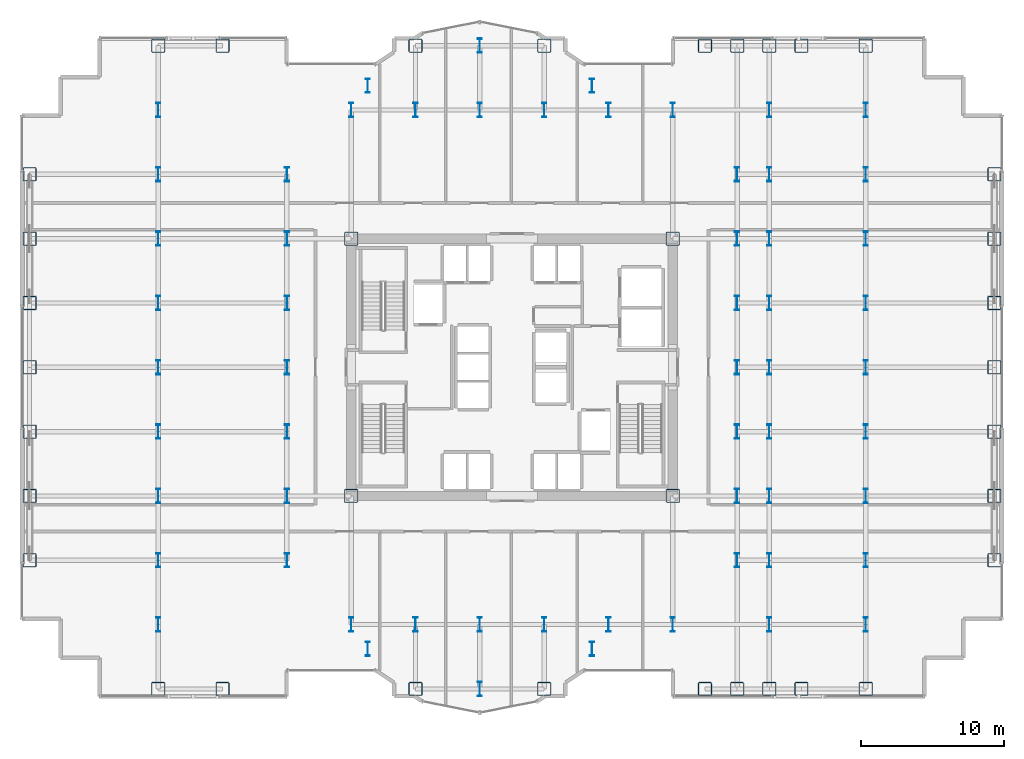
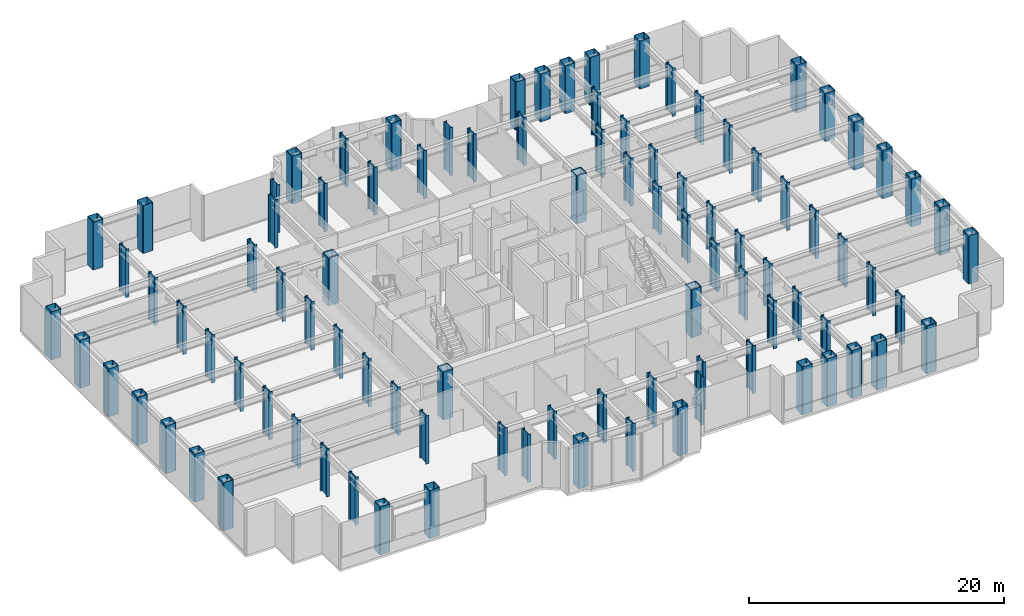
# One storey, part 1 of 30: 95 columns.
"""IFC4 building model written with IfcOpenShell, lengths in metres."""

from ifc_helpers import new_model, si_unit, direction, frame, origin, origin_2d, place, context, subcontext, project, spatial, hollow_rectangle, i_section, extrude, source, transform, mapped, material, material_profile, profile_set, type_object, element, save


model = new_model("IFC4")

# Units and contexts
model_context = context("Model", 3, precision=1e-05, world=origin(), true_north=direction((0.0, 1.0)))
body_context = subcontext(model_context, "Body", "Model", "MODEL_VIEW")
ifc_project = project(units=[si_unit("LENGTHUNIT", "METRE"), si_unit("AREAUNIT", "SQUARE_METRE"), si_unit("VOLUMEUNIT", "CUBIC_METRE"), si_unit("PLANEANGLEUNIT", "RADIAN"), si_unit("MASSUNIT", "GRAM", prefix="KILO")], contexts=[model_context])

# Site, building, storey
site_placement = place(None, origin())
site = spatial("IfcSite", under=ifc_project, at=site_placement, CompositionType="ELEMENT")
building_placement = place(site_placement, origin())
building = spatial("IfcBuilding", under=site, at=building_placement, Name="Nefas-Gora Pilgrimage Tower", CompositionType="ELEMENT")
storey_placement = place(building_placement, frame((0.0, 0.0, 86.199951171875)))
storey = spatial("IfcBuildingStorey", under=building, at=storey_placement, Name="L20", CompositionType="ELEMENT", Elevation=86.199951171875)

# Columns
ifc_material = material(Name="Steel S460", Category="steel")
ifc_material_profile_1 = material_profile(ifc_material, hollow_rectangle(XDim=0.949951171875, YDim=0.949951171875, WallThickness=0.044921875, InnerFilletRadius=0.044921875, OuterFilletRadius=0.090087890625, at=origin_2d()), Name="BOX 950x950x45")
ifc_profile_set_1 = profile_set([ifc_material_profile_1], Name="Steel S460")
column_type_1 = type_object("IfcColumnType", Name="COL-TUBE-950", PredefinedType="COLUMN", material=ifc_profile_set_1)
shared_shape_1 = source(origin(), body_context, "Body", "SweptSolid", [
    extrude(hollow_rectangle(XDim=0.949951171875, YDim=0.949951171875, WallThickness=0.044921875, InnerFilletRadius=0.044921875, OuterFilletRadius=0.090087890625, at=origin_2d()), origin(), (0.0, 0.0, 1.0), 4.60009765625),
])
for number, where, z_axis, x_axis, name in (
    (1, (-33.75, -13.5, 0.0), (0.0, 0.0, 1.0), (1.0, 0.0, 0.0), "L20 Tower Column C-Z1.1"),
    (2, (-33.75, -9.0, 0.0), (0.0, 0.0, 1.0), (1.0, 0.0, 0.0), "L20 Tower Column C-Z1.2"),
    (3, (-33.75, -4.5, 0.0), (0.0, 0.0, 1.0), (1.0, 0.0, 0.0), "L20 Tower Column C-Z1.3"),
    (4, (-33.75, 0.0, 0.0), (0.0, 0.0, 1.0), (1.0, 0.0, 0.0), "L20 Tower Column C-Z1.4"),
    (5, (-33.75, 4.5, 0.0), (0.0, 0.0, 1.0), (1.0, 0.0, 0.0), "L20 Tower Column C-Z1.5"),
    (6, (-33.75, 9.0, 0.0), (0.0, 0.0, 1.0), (1.0, 0.0, 0.0), "L20 Tower Column C-Z1.6"),
    (7, (-33.75, 13.5, 0.0), (0.0, 0.0, 1.0), (1.0, 0.0, 0.0), "L20 Tower Column C-Z1.7"),
    (8, (-24.75, -22.5, 0.0), (0.0, 0.0, 1.0), (1.0, 0.0, 0.0), "L20 Tower Column C-Z1.8"),
    (9, (-24.75, 22.5, 0.0), (0.0, 0.0, 1.0), (1.0, 0.0, 0.0), "L20 Tower Column C-Z1.18"),
    (10, (-20.25, -22.5, 0.0), (0.0, 0.0, 1.0), (1.0, 0.0, 0.0), "L20 Tower Column C-Z1.19"),
    (11, (-20.25, 22.5, 0.0), (0.0, 0.0, 1.0), (1.0, 0.0, 0.0), "L20 Tower Column C-Z1.20"),
    (12, (-6.75, -22.5, 0.0), (0.0, 0.0, 1.0), (1.0, 0.0, 0.0), "L20 Tower Column C-Z1.34"),
    (13, (-6.75, 22.5, 0.0), (0.0, 0.0, 1.0), (1.0, 0.0, 0.0), "L20 Tower Column C-Z1.37"),
    (14, (2.25, -22.5, 0.0), (0.0, 0.0, 1.0), (1.0, 0.0, 0.0), "L20 Tower Column C-Z1.42"),
    (15, (2.25, 22.5, 0.0), (0.0, 0.0, 1.0), (1.0, 0.0, 0.0), "L20 Tower Column C-Z1.45"),
    (16, (13.5, -22.5, 0.0), (0.0, 0.0, 1.0), (1.0, 0.0, 0.0), "L20 Tower Column C-Z1.54"),
    (17, (13.5, 22.5, 0.0), (0.0, 0.0, 1.0), (1.0, 0.0, 0.0), "L20 Tower Column C-Z1.55"),
    (18, (15.75, -22.5, 0.0), (0.0, 0.0, 1.0), (1.0, 0.0, 0.0), "L20 Tower Column C-Z1.56"),
    (19, (15.75, 22.5, 0.0), (0.0, 0.0, 1.0), (1.0, 0.0, 0.0), "L20 Tower Column C-Z1.64"),
    (20, (18.0, -22.5, 0.0), (0.0, 0.0, 1.0), (1.0, 0.0, 0.0), "L20 Tower Column C-Z1.65"),
    (21, (18.0, 22.5, 0.0), (0.0, 0.0, 1.0), (1.0, 0.0, 0.0), "L20 Tower Column C-Z1.75"),
    (22, (20.25, -22.5, 0.0), (0.0, 0.0, 1.0), (1.0, 0.0, 0.0), "L20 Tower Column C-Z1.76"),
    (23, (20.25, 22.5, 0.0), (0.0, 0.0, 1.0), (1.0, 0.0, 0.0), "L20 Tower Column C-Z1.77"),
    (24, (24.75, -22.5, 0.0), (0.0, 0.0, 1.0), (1.0, 0.0, 0.0), "L20 Tower Column C-Z1.78"),
    (25, (24.75, 22.5, 0.0), (0.0, 0.0, 1.0), (1.0, 0.0, 0.0), "L20 Tower Column C-Z1.88"),
    (26, (33.75, -13.5, 0.0), (0.0, 0.0, 1.0), (1.0, 0.0, 0.0), "L20 Tower Column C-Z1.89"),
    (27, (33.75, -9.0, 0.0), (0.0, 0.0, 1.0), (1.0, 0.0, 0.0), "L20 Tower Column C-Z1.90"),
    (28, (33.75, -4.5, 0.0), (0.0, 0.0, 1.0), (1.0, 0.0, 0.0), "L20 Tower Column C-Z1.91"),
    (29, (33.75, 0.0, 0.0), (0.0, 0.0, 1.0), (1.0, 0.0, 0.0), "L20 Tower Column C-Z1.92"),
    (30, (33.75, 4.5, 0.0), (0.0, 0.0, 1.0), (1.0, 0.0, 0.0), "L20 Tower Column C-Z1.93"),
    (31, (33.75, 9.0, 0.0), (0.0, 0.0, 1.0), (1.0, 0.0, 0.0), "L20 Tower Column C-Z1.94"),
    (32, (33.75, 13.5, 0.0), (0.0, 0.0, 1.0), (1.0, 0.0, 0.0), "L20 Tower Column C-Z1.95"),
):
    element("IfcColumn", number, at=place(storey_placement, frame(where, z_axis=z_axis, x_axis=x_axis)), inside=storey, type_object=column_type_1, Name=name, PredefinedType="COLUMN", context=body_context, shape_type="MappedRepresentation", body=[
        mapped(shared_shape_1, transform((0.0, 0.0, 0.0), x_axis=(1.0, 0.0, 0.0), y_axis=(0.0, 1.0, 0.0), z_axis=(0.0, 0.0, 1.0), scale=1.0)),
    ])
ifc_material_profile_2 = material_profile(ifc_material, i_section(OverallWidth=0.302001953125, OverallDepth=1.008056640625, WebThickness=0.02099609375, FlangeThickness=0.0400390625, FilletRadius=0.030029296875, at=origin_2d()), Name="HEM 1000")
ifc_profile_set_2 = profile_set([ifc_material_profile_2], Name="Steel S460")
column_type_2 = type_object("IfcColumnType", Name="COL-WEB-HEM1000", PredefinedType="COLUMN", material=ifc_profile_set_2)
shared_shape_2 = source(origin(), body_context, "Body", "SweptSolid", [
    extrude(i_section(OverallWidth=0.302001953125, OverallDepth=1.008056640625, WebThickness=0.02099609375, FlangeThickness=0.0400390625, FilletRadius=0.030029296875, at=origin_2d()), origin(), (0.0, 0.0, 1.0), 4.60009765625),
])
for number, where, z_axis, x_axis, name in (
    (33, (-24.75, -18.0, 0.0), (0.0, 0.0, 1.0), (1.0, 0.0, 0.0), "L20 Tower Column CW-01.9"),
    (34, (-24.75, -13.5, 0.0), (0.0, 0.0, 1.0), (1.0, 0.0, 0.0), "L20 Tower Column CW-01.10"),
    (35, (-24.75, -9.0, 0.0), (0.0, 0.0, 1.0), (1.0, 0.0, 0.0), "L20 Tower Column CW-01.11"),
    (36, (-24.75, -4.5, 0.0), (0.0, 0.0, 1.0), (1.0, 0.0, 0.0), "L20 Tower Column CW-01.12"),
    (37, (-24.75, 0.0, 0.0), (0.0, 0.0, 1.0), (1.0, 0.0, 0.0), "L20 Tower Column CW-01.13"),
    (38, (-24.75, 4.5, 0.0), (0.0, 0.0, 1.0), (1.0, 0.0, 0.0), "L20 Tower Column CW-01.14"),
    (39, (-24.75, 9.0, 0.0), (0.0, 0.0, 1.0), (1.0, 0.0, 0.0), "L20 Tower Column CW-01.15"),
    (40, (-24.75, 13.5, 0.0), (0.0, 0.0, 1.0), (1.0, 0.0, 0.0), "L20 Tower Column CW-01.16"),
    (41, (-24.75, 18.0, 0.0), (0.0, 0.0, 1.0), (1.0, 0.0, 0.0), "L20 Tower Column CW-01.17"),
    (42, (-15.75, -13.5, 0.0), (0.0, 0.0, 1.0), (1.0, 0.0, 0.0), "L20 Tower Column CW-01.21"),
    (43, (-15.75, -9.0, 0.0), (0.0, 0.0, 1.0), (1.0, 0.0, 0.0), "L20 Tower Column CW-01.22"),
    (44, (-15.75, -4.5, 0.0), (0.0, 0.0, 1.0), (1.0, 0.0, 0.0), "L20 Tower Column CW-01.23"),
    (45, (-15.75, 0.0, 0.0), (0.0, 0.0, 1.0), (1.0, 0.0, 0.0), "L20 Tower Column CW-01.24"),
    (46, (-15.75, 4.5, 0.0), (0.0, 0.0, 1.0), (1.0, 0.0, 0.0), "L20 Tower Column CW-01.25"),
    (47, (-15.75, 9.0, 0.0), (0.0, 0.0, 1.0), (1.0, 0.0, 0.0), "L20 Tower Column CW-01.26"),
    (48, (-15.75, 13.5, 0.0), (0.0, 0.0, 1.0), (1.0, 0.0, 0.0), "L20 Tower Column CW-01.27"),
    (49, (-11.25, -18.0, 0.0), (0.0, 0.0, 1.0), (1.0, 0.0, 0.0), "L20 Tower Column CW-01.28"),
    (50, (-11.25, 18.0, 0.0), (0.0, 0.0, 1.0), (1.0, 0.0, 0.0), "L20 Tower Column CW-01.31"),
    (51, (-10.091064453125, -19.696044921875, 0.0), (0.0, 0.0, 1.0), (1.0, 0.0, 0.0), "L20 Tower Column CW-01.32"),
    (52, (-10.091064453125, 19.696044921875, 0.0), (0.0, 0.0, 1.0), (1.0, 0.0, 0.0), "L20 Tower Column CW-01.33"),
    (53, (-6.75, -18.0, 0.0), (0.0, 0.0, 1.0), (1.0, 0.0, 0.0), "L20 Tower Column CW-01.35"),
    (54, (-6.75, 18.0, 0.0), (0.0, 0.0, 1.0), (1.0, 0.0, 0.0), "L20 Tower Column CW-01.36"),
    (55, (-2.25, -22.5, 0.0), (0.0, 0.0, 1.0), (1.0, 0.0, 0.0), "L20 Tower Column CW-01.38"),
    (56, (-2.25, -18.0, 0.0), (0.0, 0.0, 1.0), (1.0, 0.0, 0.0), "L20 Tower Column CW-01.39"),
    (57, (-2.25, 18.0, 0.0), (0.0, 0.0, 1.0), (1.0, 0.0, 0.0), "L20 Tower Column CW-01.40"),
    (58, (-2.25, 22.5, 0.0), (0.0, 0.0, 1.0), (1.0, 0.0, 0.0), "L20 Tower Column CW-01.41"),
    (59, (2.25, -18.0, 0.0), (0.0, 0.0, 1.0), (1.0, 0.0, 0.0), "L20 Tower Column CW-01.43"),
    (60, (2.25, 18.0, 0.0), (0.0, 0.0, 1.0), (1.0, 0.0, 0.0), "L20 Tower Column CW-01.44"),
    (61, (5.591064453125, -19.696044921875, 0.0), (0.0, 0.0, 1.0), (1.0, 0.0, 0.0), "L20 Tower Column CW-01.46"),
    (62, (5.591064453125, 19.696044921875, 0.0), (0.0, 0.0, 1.0), (1.0, 0.0, 0.0), "L20 Tower Column CW-01.47"),
    (63, (6.75, -18.0, 0.0), (0.0, 0.0, 1.0), (1.0, 0.0, 0.0), "L20 Tower Column CW-01.48"),
    (64, (6.75, 18.0, 0.0), (0.0, 0.0, 1.0), (1.0, 0.0, 0.0), "L20 Tower Column CW-01.49"),
    (65, (11.25, -18.0, 0.0), (0.0, 0.0, 1.0), (1.0, 0.0, 0.0), "L20 Tower Column CW-01.50"),
    (66, (11.25, 18.0, 0.0), (0.0, 0.0, 1.0), (1.0, 0.0, 0.0), "L20 Tower Column CW-01.53"),
    (67, (15.75, -13.5, 0.0), (0.0, 0.0, 1.0), (1.0, 0.0, 0.0), "L20 Tower Column CW-01.57"),
    (68, (15.75, -9.0, 0.0), (0.0, 0.0, 1.0), (1.0, 0.0, 0.0), "L20 Tower Column CW-01.58"),
    (69, (15.75, -4.5, 0.0), (0.0, 0.0, 1.0), (1.0, 0.0, 0.0), "L20 Tower Column CW-01.59"),
    (70, (15.75, 0.0, 0.0), (0.0, 0.0, 1.0), (1.0, 0.0, 0.0), "L20 Tower Column CW-01.60"),
    (71, (15.75, 4.5, 0.0), (0.0, 0.0, 1.0), (1.0, 0.0, 0.0), "L20 Tower Column CW-01.61"),
    (72, (15.75, 9.0, 0.0), (0.0, 0.0, 1.0), (1.0, 0.0, 0.0), "L20 Tower Column CW-01.62"),
    (73, (15.75, 13.5, 0.0), (0.0, 0.0, 1.0), (1.0, 0.0, 0.0), "L20 Tower Column CW-01.63"),
    (74, (18.0, -18.0, 0.0), (0.0, 0.0, 1.0), (1.0, 0.0, 0.0), "L20 Tower Column CW-01.66"),
    (75, (18.0, -13.5, 0.0), (0.0, 0.0, 1.0), (1.0, 0.0, 0.0), "L20 Tower Column CW-01.67"),
    (76, (18.0, -9.0, 0.0), (0.0, 0.0, 1.0), (1.0, 0.0, 0.0), "L20 Tower Column CW-01.68"),
    (77, (18.0, -4.5, 0.0), (0.0, 0.0, 1.0), (1.0, 0.0, 0.0), "L20 Tower Column CW-01.69"),
    (78, (18.0, 0.0, 0.0), (0.0, 0.0, 1.0), (1.0, 0.0, 0.0), "L20 Tower Column CW-01.70"),
    (79, (18.0, 4.5, 0.0), (0.0, 0.0, 1.0), (1.0, 0.0, 0.0), "L20 Tower Column CW-01.71"),
    (80, (18.0, 9.0, 0.0), (0.0, 0.0, 1.0), (1.0, 0.0, 0.0), "L20 Tower Column CW-01.72"),
    (81, (18.0, 13.5, 0.0), (0.0, 0.0, 1.0), (1.0, 0.0, 0.0), "L20 Tower Column CW-01.73"),
    (82, (18.0, 18.0, 0.0), (0.0, 0.0, 1.0), (1.0, 0.0, 0.0), "L20 Tower Column CW-01.74"),
    (83, (24.75, -18.0, 0.0), (0.0, 0.0, 1.0), (1.0, 0.0, 0.0), "L20 Tower Column CW-01.79"),
    (84, (24.75, -13.5, 0.0), (0.0, 0.0, 1.0), (1.0, 0.0, 0.0), "L20 Tower Column CW-01.80"),
    (85, (24.75, -9.0, 0.0), (0.0, 0.0, 1.0), (1.0, 0.0, 0.0), "L20 Tower Column CW-01.81"),
    (86, (24.75, -4.5, 0.0), (0.0, 0.0, 1.0), (1.0, 0.0, 0.0), "L20 Tower Column CW-01.82"),
    (87, (24.75, 0.0, 0.0), (0.0, 0.0, 1.0), (1.0, 0.0, 0.0), "L20 Tower Column CW-01.83"),
    (88, (24.75, 4.5, 0.0), (0.0, 0.0, 1.0), (1.0, 0.0, 0.0), "L20 Tower Column CW-01.84"),
    (89, (24.75, 9.0, 0.0), (0.0, 0.0, 1.0), (1.0, 0.0, 0.0), "L20 Tower Column CW-01.85"),
    (90, (24.75, 13.5, 0.0), (0.0, 0.0, 1.0), (1.0, 0.0, 0.0), "L20 Tower Column CW-01.86"),
    (91, (24.75, 18.0, 0.0), (0.0, 0.0, 1.0), (1.0, 0.0, 0.0), "L20 Tower Column CW-01.87"),
):
    element("IfcColumn", number, at=place(storey_placement, frame(where, z_axis=z_axis, x_axis=x_axis)), inside=storey, type_object=column_type_2, Name=name, PredefinedType="COLUMN", context=body_context, shape_type="MappedRepresentation", body=[
        mapped(shared_shape_2, transform((0.0, 0.0, 0.0), x_axis=(1.0, 0.0, 0.0), y_axis=(0.0, 1.0, 0.0), z_axis=(0.0, 0.0, 1.0), scale=1.0)),
    ])
ifc_material_profile_3 = material_profile(ifc_material, hollow_rectangle(XDim=0.949951171875, YDim=0.949951171875, WallThickness=0.044921875, InnerFilletRadius=0.044921875, OuterFilletRadius=0.090087890625, at=origin_2d()), Name="BOX 950x950x45")
ifc_profile_set_3 = profile_set([ifc_material_profile_3], Name="Steel S460")
column_type_3 = type_object("IfcColumnType", Name="COL-CORE-950", PredefinedType="COLUMN", material=ifc_profile_set_3)
shared_shape_3 = source(origin(), body_context, "Body", "SweptSolid", [
    extrude(hollow_rectangle(XDim=0.949951171875, YDim=0.949951171875, WallThickness=0.044921875, InnerFilletRadius=0.044921875, OuterFilletRadius=0.090087890625, at=origin_2d()), origin(), (0.0, 0.0, 1.0), 4.60009765625),
])
for number, where, z_axis, x_axis, name in (
    (92, (-11.25, -9.0, 0.0), (0.0, 0.0, 1.0), (1.0, 0.0, 0.0), "L20 Tower Column CC-Z1.29"),
    (93, (-11.25, 9.0, 0.0), (0.0, 0.0, 1.0), (1.0, 0.0, 0.0), "L20 Tower Column CC-Z1.30"),
    (94, (11.25, -9.0, 0.0), (0.0, 0.0, 1.0), (1.0, 0.0, 0.0), "L20 Tower Column CC-Z1.51"),
    (95, (11.25, 9.0, 0.0), (0.0, 0.0, 1.0), (1.0, 0.0, 0.0), "L20 Tower Column CC-Z1.52"),
):
    element("IfcColumn", number, at=place(storey_placement, frame(where, z_axis=z_axis, x_axis=x_axis)), inside=storey, type_object=column_type_3, Name=name, PredefinedType="COLUMN", context=body_context, shape_type="MappedRepresentation", body=[
        mapped(shared_shape_3, transform((0.0, 0.0, 0.0), x_axis=(1.0, 0.0, 0.0), y_axis=(0.0, 1.0, 0.0), z_axis=(0.0, 0.0, 1.0), scale=1.0)),
    ])

save(model, "model.ifc")
